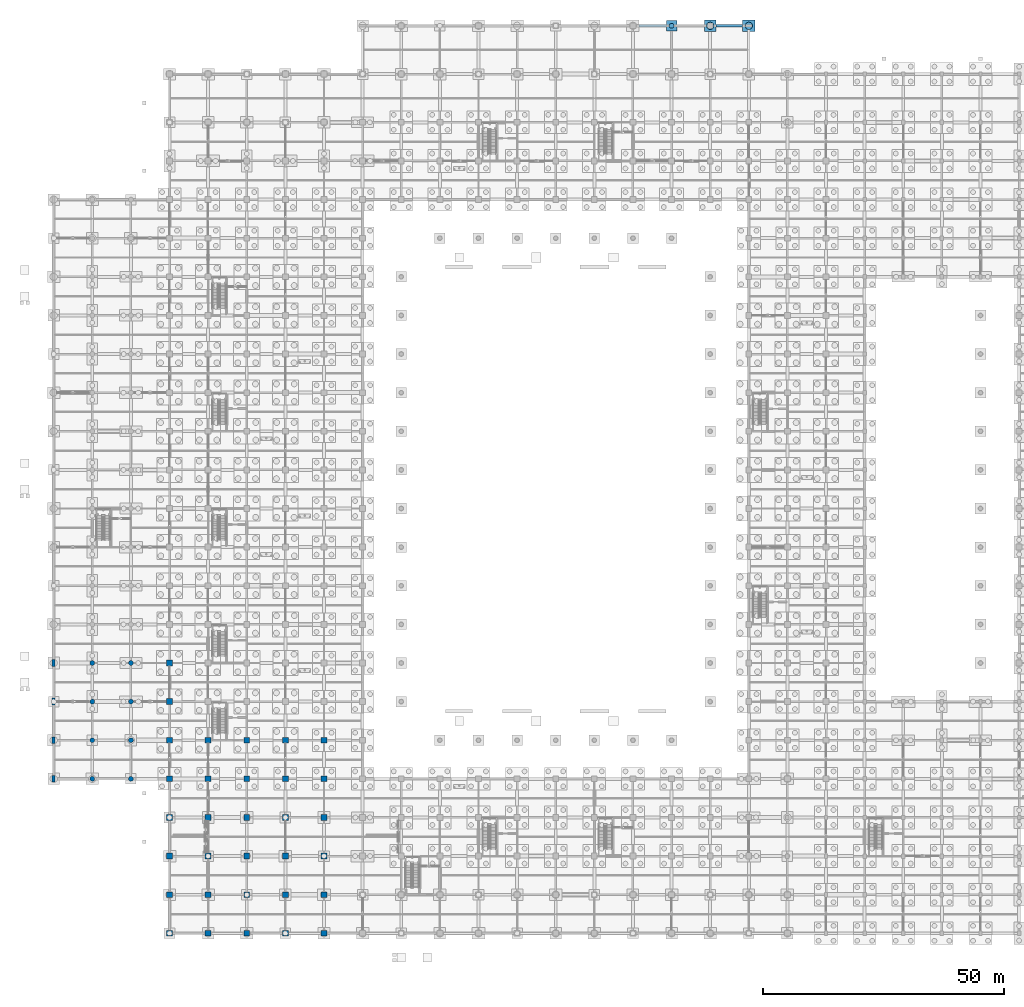
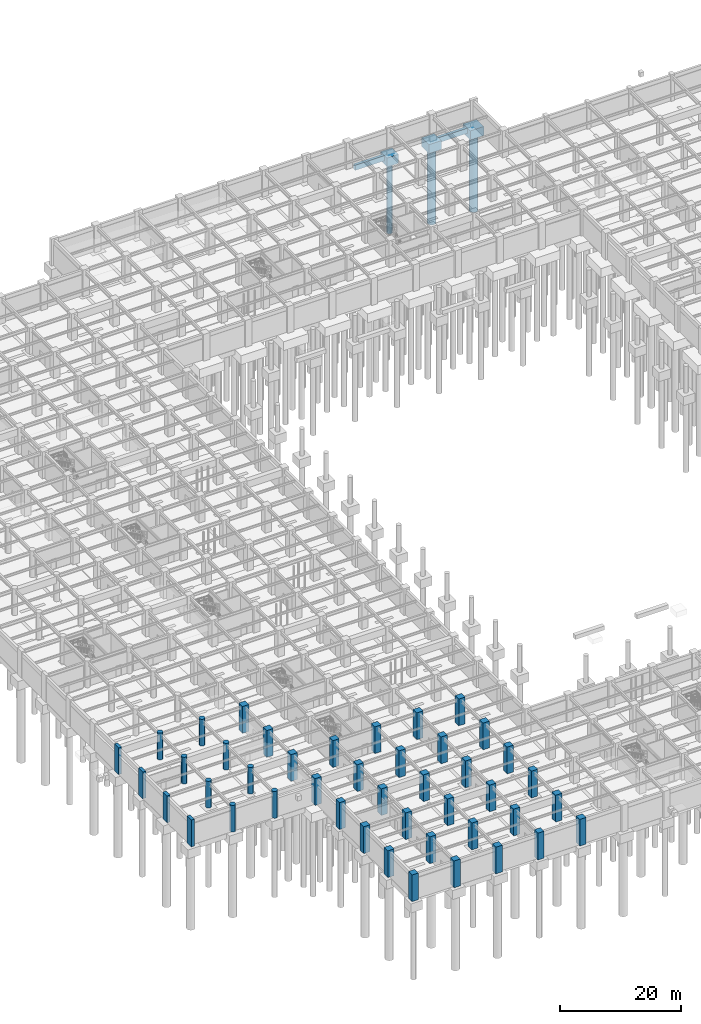
# One storey, part 21 of 97: 44 columns, 5 footings, 3 piles.
"""IFC4 building model written with IfcOpenShell, lengths in metres."""

from ifc_helpers import new_model, si_unit, direction, frame, origin, origin_2d, place, context, subcontext, project, spatial, rectangle, circle, extrude, material, layer, layer_set, material_profile, profile_set, type_object, element, save


model = new_model("IFC4")

# Units and contexts
model_context = context("Model", 3, precision=1e-05, world=origin(), true_north=direction((0.0, 1.0)))
body_context = subcontext(model_context, "Body", "Model", "MODEL_VIEW")
ifc_project = project(units=[si_unit("LENGTHUNIT", "METRE"), si_unit("AREAUNIT", "SQUARE_METRE"), si_unit("VOLUMEUNIT", "CUBIC_METRE"), si_unit("PLANEANGLEUNIT", "RADIAN"), si_unit("MASSUNIT", "GRAM", prefix="KILO")], contexts=[model_context])

# Site, building, storey
site_placement = place(None, origin())
site = spatial("IfcSite", under=ifc_project, at=site_placement, CompositionType="ELEMENT")
building_placement = place(site_placement, origin())
building = spatial("IfcBuilding", under=site, at=building_placement, Name="Haebicheon Civic Stadium", CompositionType="ELEMENT")
storey_placement = place(building_placement, frame((0.0, 0.0, -5.39990234375)))
storey = spatial("IfcBuildingStorey", under=building, at=storey_placement, Name="B1", CompositionType="ELEMENT", Elevation=-5.39990234375)

# Footings
ifc_material_1 = material(Name="Concrete C40/50", Category="concrete")
ifc_layer_1 = layer(ifc_material_1, 1.0, Name="Concrete C40/50")
ifc_layer_set_1 = layer_set([ifc_layer_1], Name="Concrete C40/50")
footing_type_1 = type_object("IfcFootingType", Name="FB-5500x600", PredefinedType="FOOTING_BEAM", material=ifc_layer_set_1)
footing_1_placement = place(storey_placement, frame((139.949951171875, 188.0, -1.0), z_axis=(0.0, 0.0, 1.0), x_axis=(1.0, 0.0, 0.0)))
element("IfcFooting", 1, at=footing_1_placement, inside=storey, type_object=footing_type_1, material=ifc_layer_set_1, Name="Ground tie beam X 17-23", PredefinedType="FOOTING_BEAM", context=body_context, shape_type="SweptSolid", body=[
    extrude(rectangle(XDim=5.5, YDim=0.60009765625, at=origin_2d()), origin(), (0.0, 0.0, 1.0), 1.0),
])
ifc_material_2 = material(Name="Concrete C40/50", Category="concrete")
ifc_layer_2 = layer(ifc_material_2, 1.0, Name="Concrete C40/50")
ifc_layer_set_2 = layer_set([ifc_layer_2], Name="Concrete C40/50")
footing_type_2 = type_object("IfcFootingType", Name="FB-5600x600", PredefinedType="FOOTING_BEAM", material=ifc_layer_set_2)
footing_2_placement = place(storey_placement, frame((124.10009765625, 188.0, -1.0), z_axis=(0.0, 0.0, 1.0), x_axis=(1.0, 0.0, 0.0)))
element("IfcFooting", 2, at=footing_2_placement, inside=storey, type_object=footing_type_2, material=ifc_layer_set_2, Name="Ground tie beam X 15-23", PredefinedType="FOOTING_BEAM", context=body_context, shape_type="SweptSolid", body=[
    extrude(rectangle(XDim=5.60009765625, YDim=0.60009765625, at=origin_2d()), origin(), (0.0, 0.0, 1.0), 1.0),
])
ifc_material_3 = material(Name="Concrete C40/50", Category="concrete")
ifc_layer_3 = layer(ifc_material_3, 1.800048828125, Name="Concrete C40/50")
ifc_layer_set_3 = layer_set([ifc_layer_3], Name="Concrete C40/50")
footing_type_3 = type_object("IfcFootingType", Name="PC-1P-2200", PredefinedType="PILE_CAP", material=ifc_layer_set_3)
footing_3_placement = place(storey_placement, frame((128.0, 188.0, -1.80029296875), z_axis=(0.0, 0.0, 1.0), x_axis=(1.0, 0.0, 0.0)))
element("IfcFooting", 3, at=footing_3_placement, inside=storey, type_object=footing_type_3, material=ifc_layer_set_3, Name="Pile cap FT-PC-16-23", PredefinedType="PILE_CAP", context=body_context, shape_type="SweptSolid", body=[
    extrude(rectangle(XDim=2.199951171875, YDim=2.199951171875, at=origin_2d()), origin(), (0.0, 0.0, 1.0), 1.800048828125),
])
ifc_material_4 = material(Name="Concrete C40/50", Category="concrete")
ifc_layer_4 = layer(ifc_material_4, 1.800048828125, Name="Concrete C40/50")
ifc_layer_set_4 = layer_set([ifc_layer_4], Name="Concrete C40/50")
footing_type_4 = type_object("IfcFootingType", Name="PC-1P-2400", PredefinedType="PILE_CAP", material=ifc_layer_set_4)
footing_4_placement = place(storey_placement, frame((136.0, 188.0, -1.80029296875), z_axis=(0.0, 0.0, 1.0), x_axis=(1.0, 0.0, 0.0)))
element("IfcFooting", 4, at=footing_4_placement, inside=storey, type_object=footing_type_4, material=ifc_layer_set_4, Name="Pile cap FT-PC-17-23", PredefinedType="PILE_CAP", context=body_context, shape_type="SweptSolid", body=[
    extrude(rectangle(XDim=2.39990234375, YDim=2.39990234375, at=origin_2d()), origin(), (0.0, 0.0, 1.0), 1.800048828125),
])
ifc_material_5 = material(Name="Concrete C40/50", Category="concrete")
ifc_layer_5 = layer(ifc_material_5, 1.800048828125, Name="Concrete C40/50")
ifc_layer_set_5 = layer_set([ifc_layer_5], Name="Concrete C40/50")
footing_type_5 = type_object("IfcFootingType", Name="PC-1P-2600", PredefinedType="PILE_CAP", material=ifc_layer_set_5)
footing_5_placement = place(storey_placement, frame((144.0, 188.0, -1.80029296875), z_axis=(0.0, 0.0, 1.0), x_axis=(1.0, 0.0, 0.0)))
element("IfcFooting", 5, at=footing_5_placement, inside=storey, type_object=footing_type_5, material=ifc_layer_set_5, Name="Pile cap FT-PC-18-23", PredefinedType="PILE_CAP", context=body_context, shape_type="SweptSolid", body=[
    extrude(rectangle(XDim=2.60009765625, YDim=2.39990234375, at=origin_2d()), origin(), (0.0, 0.0, 1.0), 1.800048828125),
])

# Piles
ifc_material_6 = material(Name="Concrete C40/50", Category="concrete")
ifc_material_profile_1 = material_profile(ifc_material_6, circle(Radius=0.5, at=origin_2d()), Name="PILE-D1000")
ifc_profile_set_1 = profile_set([ifc_material_profile_1], Name="Concrete C40/50")
pile_type_1 = type_object("IfcPileType", Name="PL-D1000", PredefinedType="BORED", material=ifc_profile_set_1)
pile_1_placement = place(storey_placement, frame((128.0, 188.0, -1.7001953125), z_axis=(0.0, 0.0, -1.0), x_axis=(1.0, 0.0, 0.0)))
element("IfcPile", 6, at=pile_1_placement, inside=storey, type_object=pile_type_1, material=ifc_profile_set_1, Name="Bored pile 16-23-1", PredefinedType="BORED", context=body_context, shape_type="SweptSolid", body=[
    extrude(circle(Radius=0.5, at=origin_2d()), origin(), (0.0, 0.0, 1.0), 14.300048828125),
])
ifc_material_7 = material(Name="Concrete C40/50", Category="concrete")
ifc_material_profile_2 = material_profile(ifc_material_7, circle(Radius=0.75, at=origin_2d()), Name="PILE-D1500")
ifc_profile_set_2 = profile_set([ifc_material_profile_2], Name="Concrete C40/50")
pile_type_2 = type_object("IfcPileType", Name="PL-D1500", PredefinedType="BORED", material=ifc_profile_set_2)
pile_2_placement = place(storey_placement, frame((136.0, 188.0, -1.7001953125), z_axis=(0.0, 0.0, -1.0), x_axis=(1.0, 0.0, 0.0)))
element("IfcPile", 7, at=pile_2_placement, inside=storey, type_object=pile_type_2, material=ifc_profile_set_2, Name="Bored pile 17-23-1", PredefinedType="BORED", context=body_context, shape_type="SweptSolid", body=[
    extrude(circle(Radius=0.75, at=origin_2d()), origin(), (0.0, 0.0, 1.0), 15.10009765625),
])
pile_3_placement = place(storey_placement, frame((144.0, 188.0, -1.7001953125), z_axis=(0.0, 0.0, -1.0), x_axis=(1.0, 0.0, 0.0)))
element("IfcPile", 8, at=pile_3_placement, inside=storey, type_object=pile_type_2, material=ifc_profile_set_2, Name="Bored pile 18-23-1", PredefinedType="BORED", context=body_context, shape_type="SweptSolid", body=[
    extrude(circle(Radius=0.75, at=origin_2d()), origin(), (0.0, 0.0, 1.0), 15.39990234375),
])

# Columns
ifc_material_8 = material(Name="Concrete C40/50", Category="concrete")
ifc_material_profile_3 = material_profile(ifc_material_8, rectangle(XDim=1.199951171875, YDim=1.199951171875, at=origin_2d()), Name="RC-COL-1200x1200")
ifc_profile_set_3 = profile_set([ifc_material_profile_3], Name="Concrete C40/50")
column_type_1 = type_object("IfcColumnType", Name="COL-RC-1200", PredefinedType="COLUMN", material=ifc_profile_set_3)
for number, where, z_axis, x_axis, name in (
    (9, (24.0, 0.0, 0.0), (0.0, 0.0, 1.0), (1.0, 0.0, 0.0), "B1 column 4/A"),
    (10, (24.0, 8.0, 0.0), (0.0, 0.0, 1.0), (1.0, 0.0, 0.0), "B1 column 4/B"),
    (11, (24.0, 16.0, 0.0), (0.0, 0.0, 1.0), (1.0, 0.0, 0.0), "B1 column 4/C"),
    (12, (24.0, 24.0, 0.0), (0.0, 0.0, 1.0), (1.0, 0.0, 0.0), "B1 column 4/D"),
    (13, (24.0, 32.0, 0.0), (0.0, 0.0, 1.0), (1.0, 0.0, 0.0), "B1 column 4/E"),
    (14, (24.0, 40.0, 0.0), (0.0, 0.0, 1.0), (1.0, 0.0, 0.0), "B1 column 4/F"),
    (15, (24.0, 48.0, 0.0), (0.0, 0.0, 1.0), (1.0, 0.0, 0.0), "B1 column 4/G"),
    (16, (24.0, 56.0, 0.0), (0.0, 0.0, 1.0), (1.0, 0.0, 0.0), "B1 column 4/H"),
    (17, (32.0, 0.0, 0.0), (0.0, 0.0, 1.0), (1.0, 0.0, 0.0), "B1 column 5/A"),
    (18, (32.0, 8.0, 0.0), (0.0, 0.0, 1.0), (1.0, 0.0, 0.0), "B1 column 5/B"),
    (19, (32.0, 16.0, 0.0), (0.0, 0.0, 1.0), (1.0, 0.0, 0.0), "B1 column 5/C"),
    (20, (32.0, 24.0, 0.0), (0.0, 0.0, 1.0), (1.0, 0.0, 0.0), "B1 column 5/D"),
    (21, (32.0, 32.0, 0.0), (0.0, 0.0, 1.0), (1.0, 0.0, 0.0), "B1 column 5/E"),
    (22, (32.0, 40.0, 0.0), (0.0, 0.0, 1.0), (1.0, 0.0, 0.0), "B1 column 5/F"),
    (23, (40.0, 0.0, 0.0), (0.0, 0.0, 1.0), (1.0, 0.0, 0.0), "B1 column 6/A"),
    (24, (40.0, 8.0, 0.0), (0.0, 0.0, 1.0), (1.0, 0.0, 0.0), "B1 column 6/B"),
    (25, (40.0, 16.0, 0.0), (0.0, 0.0, 1.0), (1.0, 0.0, 0.0), "B1 column 6/C"),
    (26, (40.0, 24.0, 0.0), (0.0, 0.0, 1.0), (1.0, 0.0, 0.0), "B1 column 6/D"),
    (27, (40.0, 32.0, 0.0), (0.0, 0.0, 1.0), (1.0, 0.0, 0.0), "B1 column 6/E"),
    (28, (40.0, 40.0, 0.0), (0.0, 0.0, 1.0), (1.0, 0.0, 0.0), "B1 column 6/F"),
    (29, (48.0, 0.0, 0.0), (0.0, 0.0, 1.0), (1.0, 0.0, 0.0), "B1 column 7/A"),
    (30, (48.0, 8.0, 0.0), (0.0, 0.0, 1.0), (1.0, 0.0, 0.0), "B1 column 7/B"),
    (31, (48.0, 16.0, 0.0), (0.0, 0.0, 1.0), (1.0, 0.0, 0.0), "B1 column 7/C"),
    (32, (48.0, 24.0, 0.0), (0.0, 0.0, 1.0), (1.0, 0.0, 0.0), "B1 column 7/D"),
    (33, (48.0, 32.0, 0.0), (0.0, 0.0, 1.0), (1.0, 0.0, 0.0), "B1 column 7/E"),
    (34, (48.0, 40.0, 0.0), (0.0, 0.0, 1.0), (1.0, 0.0, 0.0), "B1 column 7/F"),
    (35, (56.0, 0.0, 0.0), (0.0, 0.0, 1.0), (1.0, 0.0, 0.0), "B1 column 8/A"),
    (36, (56.0, 8.0, 0.0), (0.0, 0.0, 1.0), (1.0, 0.0, 0.0), "B1 column 8/B"),
    (37, (56.0, 16.0, 0.0), (0.0, 0.0, 1.0), (1.0, 0.0, 0.0), "B1 column 8/C"),
    (38, (56.0, 24.0, 0.0), (0.0, 0.0, 1.0), (1.0, 0.0, 0.0), "B1 column 8/D"),
    (39, (56.0, 32.0, 0.0), (0.0, 0.0, 1.0), (1.0, 0.0, 0.0), "B1 column 8/E"),
    (40, (56.0, 40.0, 0.0), (0.0, 0.0, 1.0), (1.0, 0.0, 0.0), "B1 column 8/F"),
):
    element("IfcColumn", number, at=place(storey_placement, frame(where, z_axis=z_axis, x_axis=x_axis)), inside=storey, type_object=column_type_1, material=ifc_profile_set_3, Name=name, PredefinedType="COLUMN", context=body_context, shape_type="SweptSolid", body=[
        extrude(rectangle(XDim=1.199951171875, YDim=1.199951171875, at=origin_2d()), origin(), (0.0, 0.0, 1.0), 5.39990234375),
    ])
ifc_material_9 = material(Name="Concrete C40/50", Category="concrete")
ifc_material_profile_4 = material_profile(ifc_material_9, circle(Radius=0.5, at=origin_2d()), Name="RC-COL-D1000")
ifc_profile_set_4 = profile_set([ifc_material_profile_4], Name="Concrete C40/50")
column_type_2 = type_object("IfcColumnType", Name="COL-RC-D1000", PredefinedType="COLUMN", material=ifc_profile_set_4)
for number, where, z_axis, x_axis, name in (
    (41, (8.0, 32.0, 0.0), (0.0, 0.0, 1.0), (1.0, 0.0, 0.0), "B1 column 2/E"),
    (42, (8.0, 40.0, 0.0), (0.0, 0.0, 1.0), (1.0, 0.0, 0.0), "B1 column 2/F"),
    (43, (8.0, 48.0, 0.0), (0.0, 0.0, 1.0), (1.0, 0.0, 0.0), "B1 column 2/G"),
    (44, (8.0, 56.0, 0.0), (0.0, 0.0, 1.0), (1.0, 0.0, 0.0), "B1 column 2/H"),
    (45, (16.0, 32.0, 0.0), (0.0, 0.0, 1.0), (1.0, 0.0, 0.0), "B1 column 3/E"),
    (46, (16.0, 40.0, 0.0), (0.0, 0.0, 1.0), (1.0, 0.0, 0.0), "B1 column 3/F"),
    (47, (16.0, 48.0, 0.0), (0.0, 0.0, 1.0), (1.0, 0.0, 0.0), "B1 column 3/G"),
    (48, (16.0, 56.0, 0.0), (0.0, 0.0, 1.0), (1.0, 0.0, 0.0), "B1 column 3/H"),
):
    element("IfcColumn", number, at=place(storey_placement, frame(where, z_axis=z_axis, x_axis=x_axis)), inside=storey, type_object=column_type_2, material=ifc_profile_set_4, Name=name, PredefinedType="COLUMN", context=body_context, shape_type="SweptSolid", body=[
        extrude(circle(Radius=0.5, at=origin_2d()), origin(), (0.0, 0.0, 1.0), 5.39990234375),
    ])
ifc_material_10 = material(Name="Concrete C40/50", Category="concrete")
ifc_material_profile_5 = material_profile(ifc_material_10, rectangle(XDim=0.60009765625, YDim=1.39990234375, at=origin_2d()), Name="RC-PIL-600x1400")
ifc_profile_set_5 = profile_set([ifc_material_profile_5], Name="Concrete C40/50")
column_type_3 = type_object("IfcColumnType", Name="PIL-RC-600x1400", PredefinedType="PILASTER", material=ifc_profile_set_5)
for number, where, z_axis, x_axis, name in (
    (49, (0.0, 32.0, 0.0), (0.0, 0.0, 1.0), (1.0, 0.0, 0.0), "B1 column 1/E"),
    (50, (0.0, 40.0, 0.0), (0.0, 0.0, 1.0), (1.0, 0.0, 0.0), "B1 column 1/F"),
    (51, (0.0, 48.0, 0.0), (0.0, 0.0, 1.0), (1.0, 0.0, 0.0), "B1 column 1/G"),
    (52, (0.0, 56.0, 0.0), (0.0, 0.0, 1.0), (1.0, 0.0, 0.0), "B1 column 1/H"),
):
    element("IfcColumn", number, at=place(storey_placement, frame(where, z_axis=z_axis, x_axis=x_axis)), inside=storey, type_object=column_type_3, material=ifc_profile_set_5, Name=name, PredefinedType="PILASTER", context=body_context, shape_type="SweptSolid", body=[
        extrude(rectangle(XDim=0.60009765625, YDim=1.39990234375, at=origin_2d()), origin(), (0.0, 0.0, 1.0), 5.39990234375),
    ])

save(model, "model.ifc")
